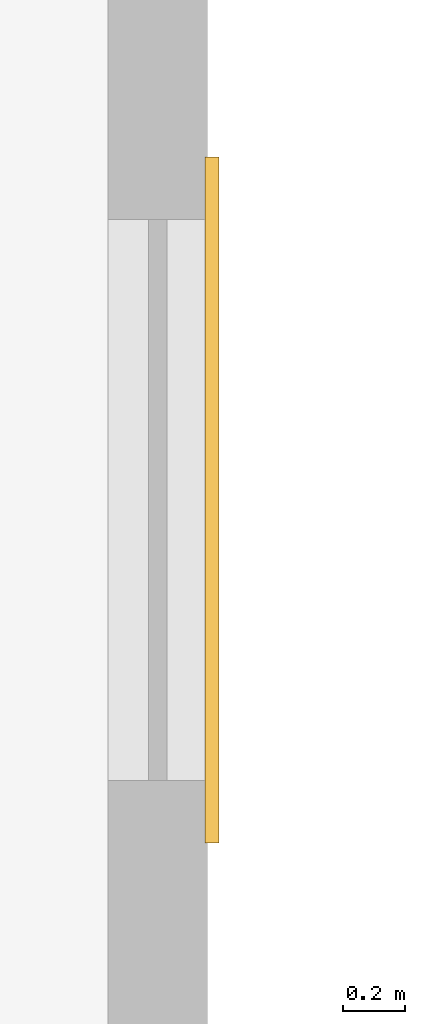
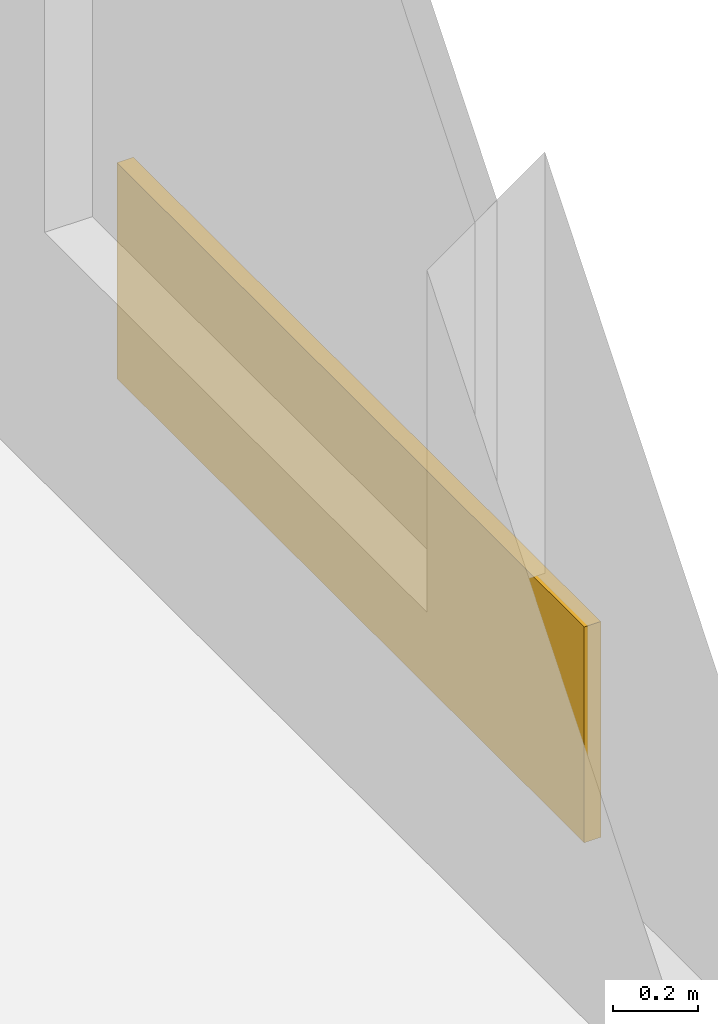
# One storey, part 14 of 14: 1 covering.
"""IFC4 building model written with IfcOpenShell, lengths in metres."""

from ifc_helpers import new_model, si_unit, direction, frame, origin, origin_2d, place, context, subcontext, project, spatial, rectangle, extrude, source, transform, mapped, material, layer, layer_set, type_object, element, save


model = new_model("IFC4")

# Units and contexts
model_context = context("Model", 3, precision=1e-05, world=origin(), true_north=direction((0.0, 1.0)))
body_context = subcontext(model_context, "Body", "Model", "MODEL_VIEW")
ifc_project = project(units=[si_unit("LENGTHUNIT", "METRE"), si_unit("AREAUNIT", "SQUARE_METRE"), si_unit("VOLUMEUNIT", "CUBIC_METRE"), si_unit("PLANEANGLEUNIT", "RADIAN"), si_unit("MASSUNIT", "GRAM", prefix="KILO")], contexts=[model_context])

# Site, building, storey
site_placement = place(None, origin())
site = spatial("IfcSite", under=ifc_project, at=site_placement, CompositionType="ELEMENT")
building_placement = place(site_placement, origin())
building = spatial("IfcBuilding", under=site, at=building_placement, Name="Vardaveli Station Tower", CompositionType="ELEMENT")
storey_placement = place(building_placement, frame((0.0, 0.0, 270.35009765625)))
storey = spatial("IfcBuildingStorey", under=building, at=storey_placement, Name="L69", CompositionType="ELEMENT", Elevation=270.35009765625)

# Covering
ifc_material = material(Name="Ventilated honed travertine stone cladding", Category="masonry")
ifc_layer = layer(ifc_material, 0.044921875, Name="Ventilated honed travertine stone cladding")
ifc_layer_set = layer_set([ifc_layer], Name="Ventilated honed travertine stone cladding")
covering_type = type_object("IfcCoveringType", Name="COV-CLAD-TR45", PredefinedType="CLADDING", material=ifc_layer_set)
shared_shape = source(origin(), body_context, "Body", "SweptSolid", [
    extrude(rectangle(XDim=2.199951171875, YDim=0.044921875, at=origin_2d()), origin(), (0.0, 0.0, 1.0), 0.6201171875),
])
covering_placement = place(storey_placement, frame((60.25439453125, 38.299072265625, 0.06982421875), z_axis=(0.0, 0.0, 1.0), x_axis=(0.0, 1.0, 0.0)))
element("IfcCovering", 1, at=covering_placement, inside=storey, type_object=covering_type, Name="CLD-TR-L69-E", PredefinedType="CLADDING", context=body_context, shape_type="MappedRepresentation", body=[
    mapped(shared_shape, transform((0.0, 0.0, 0.0), scale=1.0)),
])

save(model, "model.ifc")
